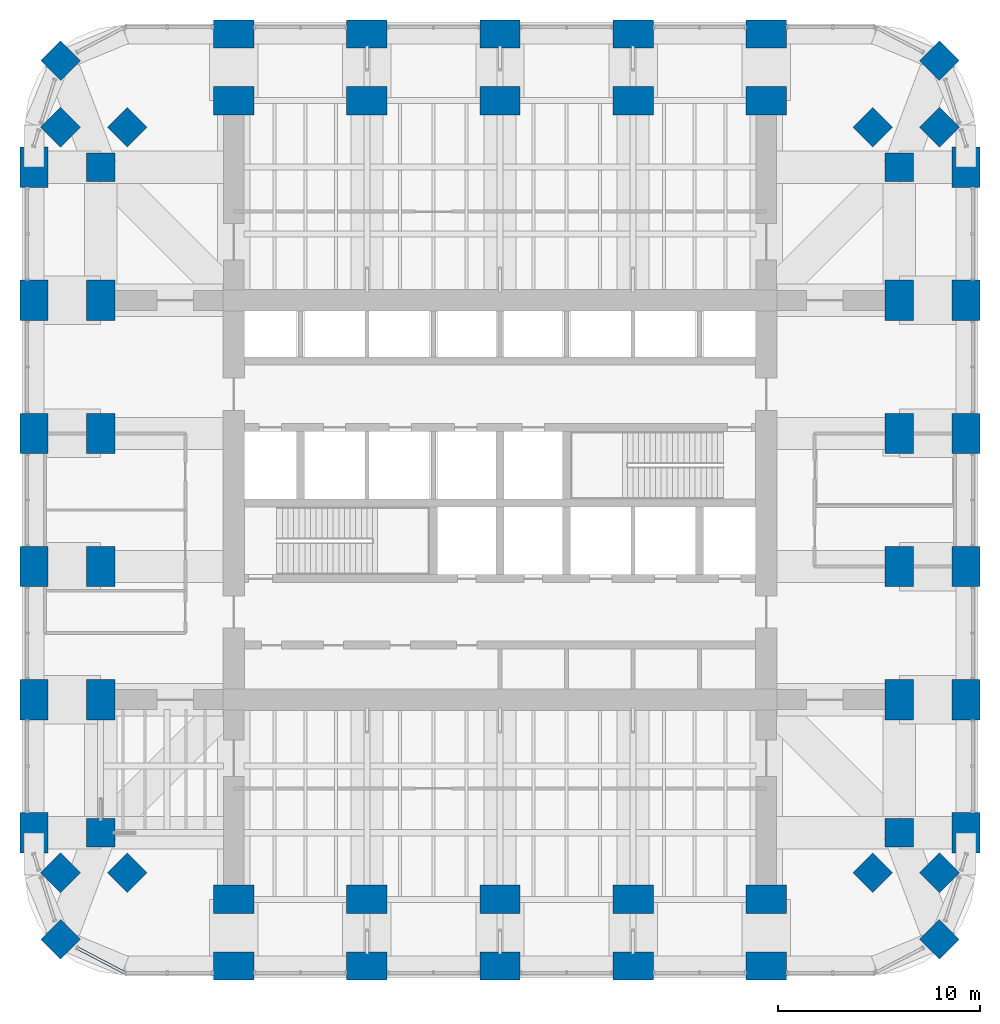
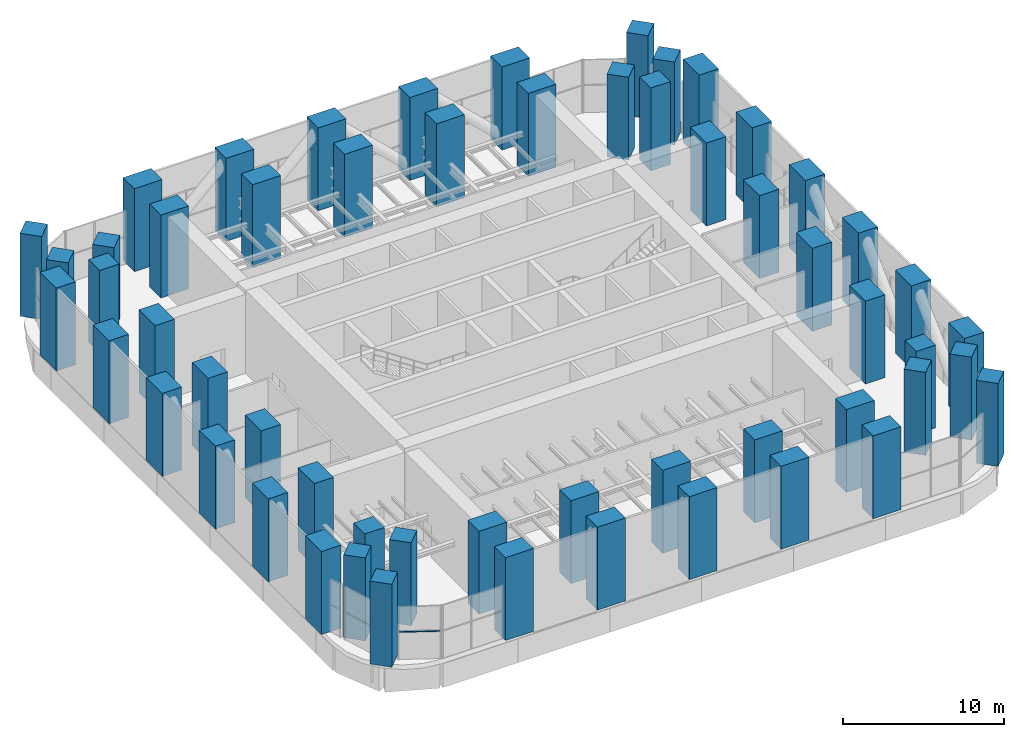
# One storey, part 1 of 16: 56 columns, 1 member, 1 element without a shape of its own.
"""IFC4 building model written with IfcOpenShell, lengths in metres."""

from ifc_helpers import new_model, si_unit, direction, frame, origin, origin_2d, place, context, subcontext, project, spatial, rectangle, extrude, material, material_profile, profile_set, type_object, element, aggregate, save


model = new_model("IFC4")

# Units and contexts
model_context = context("Model", 3, precision=1e-05, world=origin(), true_north=direction((0.0, 1.0)))
body_context = subcontext(model_context, "Body", "Model", "MODEL_VIEW")
ifc_project = project(units=[si_unit("LENGTHUNIT", "METRE"), si_unit("AREAUNIT", "SQUARE_METRE"), si_unit("VOLUMEUNIT", "CUBIC_METRE"), si_unit("PLANEANGLEUNIT", "RADIAN"), si_unit("MASSUNIT", "GRAM", prefix="KILO")], contexts=[model_context])

# Site, building, storey
site_placement = place(None, origin())
site = spatial("IfcSite", under=ifc_project, at=site_placement, CompositionType="ELEMENT")
building_placement = place(site_placement, origin())
building = spatial("IfcBuilding", under=site, at=building_placement, Name="Cobogo Forest Laboratory Tower", CompositionType="ELEMENT")
storey_placement = place(building_placement, frame((0.0, 0.0, 149.39990234375)))
storey = spatial("IfcBuildingStorey", under=building, at=storey_placement, Name="L34", CompositionType="ELEMENT", Elevation=149.39990234375)

# Columns
ifc_material_1 = material(Name="Concrete HA-50 (C50/60)", Category="concrete")
ifc_material_profile_1 = material_profile(ifc_material_1, rectangle(XDim=2.0, YDim=1.39990234375, at=origin_2d()), Name="RC 1400x2000")
ifc_profile_set_1 = profile_set([ifc_material_profile_1], Name="Concrete HA-50 (C50/60)")
column_type_1 = type_object("IfcColumnType", Name="Blade column 1400x2000", PredefinedType="COLUMN", material=ifc_profile_set_1)
for number, where, z_axis, x_axis, name in (
    (1, (13.199951171875, 0.0, 0.0), (0.0, 0.0, 1.0), (1.0, 0.0, 0.0), "Column 3-A L34"),
    (2, (19.800048828125, 0.0, 0.0), (0.0, 0.0, 1.0), (1.0, 0.0, 0.0), "Column 4-A L34"),
    (3, (26.39990234375, 0.0, 0.0), (0.0, 0.0, 1.0), (1.0, 0.0, 0.0), "Column 5-A L34"),
    (4, (33.0, 0.0, 0.0), (0.0, 0.0, 1.0), (1.0, 0.0, 0.0), "Column 6-A L34"),
    (5, (39.60009765625, 0.0, 0.0), (0.0, 0.0, 1.0), (1.0, 0.0, 0.0), "Column 7-A L34"),
    (6, (3.300048828125, 6.60009765625, 0.0), (0.0, 0.0, 1.0), (0.0, 1.0, 0.0), "Column 1.1-B L34"),
    (7, (49.5, 6.60009765625, 0.0), (0.0, 0.0, 1.0), (0.0, 1.0, 0.0), "Column 8.1-B L34"),
    (8, (3.300048828125, 13.199951171875, 0.0), (0.0, 0.0, 1.0), (0.0, 1.0, 0.0), "Column 1.1-C L34"),
    (9, (49.5, 13.199951171875, 0.0), (0.0, 0.0, 1.0), (0.0, 1.0, 0.0), "Column 8.1-C L34"),
    (10, (3.300048828125, 19.800048828125, 0.0), (0.0, 0.0, 1.0), (0.0, 1.0, 0.0), "Column 1.1-D L34"),
    (11, (49.5, 19.800048828125, 0.0), (0.0, 0.0, 1.0), (0.0, 1.0, 0.0), "Column 8.1-D L34"),
    (12, (3.300048828125, 26.39990234375, 0.0), (0.0, 0.0, 1.0), (0.0, 1.0, 0.0), "Column 1.1-E L34"),
    (13, (49.5, 26.39990234375, 0.0), (0.0, 0.0, 1.0), (0.0, 1.0, 0.0), "Column 8.1-E L34"),
    (14, (3.300048828125, 33.0, 0.0), (0.0, 0.0, 1.0), (0.0, 1.0, 0.0), "Column 1.1-F L34"),
    (15, (49.5, 33.0, 0.0), (0.0, 0.0, 1.0), (0.0, 1.0, 0.0), "Column 8.1-F L34"),
    (16, (3.300048828125, 39.60009765625, 0.0), (0.0, 0.0, 1.0), (0.0, 1.0, 0.0), "Column 1.1-G L34"),
    (17, (49.5, 39.60009765625, 0.0), (0.0, 0.0, 1.0), (0.0, 1.0, 0.0), "Column 8.1-G L34"),
    (18, (13.199951171875, 46.199951171875, 0.0), (0.0, 0.0, 1.0), (1.0, 0.0, 0.0), "Column 3-H L34"),
    (19, (19.800048828125, 46.199951171875, 0.0), (0.0, 0.0, 1.0), (1.0, 0.0, 0.0), "Column 4-H L34"),
    (20, (26.39990234375, 46.199951171875, 0.0), (0.0, 0.0, 1.0), (1.0, 0.0, 0.0), "Column 5-H L34"),
    (21, (33.0, 46.199951171875, 0.0), (0.0, 0.0, 1.0), (1.0, 0.0, 0.0), "Column 6-H L34"),
    (22, (39.60009765625, 46.199951171875, 0.0), (0.0, 0.0, 1.0), (1.0, 0.0, 0.0), "Column 7-H L34"),
    (23, (13.199951171875, 3.300048828125, 0.0), (0.0, 0.0, 1.0), (1.0, 0.0, 0.0), "Column 3-A.1-C L34"),
    (24, (19.800048828125, 3.300048828125, 0.0), (0.0, 0.0, 1.0), (1.0, 0.0, 0.0), "Column 4-A.1-C L34"),
    (25, (26.39990234375, 3.300048828125, 0.0), (0.0, 0.0, 1.0), (1.0, 0.0, 0.0), "Column 5-A.1-C L34"),
    (26, (33.0, 3.300048828125, 0.0), (0.0, 0.0, 1.0), (1.0, 0.0, 0.0), "Column 6-A.1-C L34"),
    (27, (39.60009765625, 3.300048828125, 0.0), (0.0, 0.0, 1.0), (1.0, 0.0, 0.0), "Column 7-A.1-C L34"),
    (28, (13.199951171875, 42.89990234375, 0.0), (0.0, 0.0, 1.0), (1.0, 0.0, 0.0), "Column 3-G.1-C L34"),
    (29, (19.800048828125, 42.89990234375, 0.0), (0.0, 0.0, 1.0), (1.0, 0.0, 0.0), "Column 4-G.1-C L34"),
    (30, (26.39990234375, 42.89990234375, 0.0), (0.0, 0.0, 1.0), (1.0, 0.0, 0.0), "Column 5-G.1-C L34"),
    (31, (33.0, 42.89990234375, 0.0), (0.0, 0.0, 1.0), (1.0, 0.0, 0.0), "Column 6-G.1-C L34"),
    (32, (39.60009765625, 42.89990234375, 0.0), (0.0, 0.0, 1.0), (1.0, 0.0, 0.0), "Column 7-G.1-C L34"),
    (33, (6.60009765625, 13.199951171875, 0.0), (0.0, 0.0, 1.0), (0.0, 1.0, 0.0), "Column 2-C-D L34"),
    (34, (46.199951171875, 13.199951171875, 0.0), (0.0, 0.0, 1.0), (0.0, 1.0, 0.0), "Column 8-C-D L34"),
    (35, (6.60009765625, 19.800048828125, 0.0), (0.0, 0.0, 1.0), (0.0, 1.0, 0.0), "Column 2-D-D L34"),
    (36, (46.199951171875, 19.800048828125, 0.0), (0.0, 0.0, 1.0), (0.0, 1.0, 0.0), "Column 8-D-D L34"),
    (37, (6.60009765625, 26.39990234375, 0.0), (0.0, 0.0, 1.0), (0.0, 1.0, 0.0), "Column 2-E-D L34"),
    (38, (46.199951171875, 26.39990234375, 0.0), (0.0, 0.0, 1.0), (0.0, 1.0, 0.0), "Column 8-E-D L34"),
    (39, (6.60009765625, 33.0, 0.0), (0.0, 0.0, 1.0), (0.0, 1.0, 0.0), "Column 2-F-D L34"),
    (40, (46.199951171875, 33.0, 0.0), (0.0, 0.0, 1.0), (0.0, 1.0, 0.0), "Column 8-F-D L34"),
):
    element("IfcColumn", number, at=place(storey_placement, frame(where, z_axis=z_axis, x_axis=x_axis)), inside=storey, type_object=column_type_1, Name=name, PredefinedType="COLUMN", context=body_context, shape_type="SweptSolid", body=[
        extrude(rectangle(XDim=2.0, YDim=1.39990234375, at=origin_2d()), origin(), (0.0, 0.0, 1.0), 6.300048828125),
    ])
ifc_material_profile_2 = material_profile(ifc_material_1, rectangle(XDim=1.39990234375, YDim=1.39990234375, at=origin_2d()), Name="RC 1400x1400")
ifc_profile_set_2 = profile_set([ifc_material_profile_2], Name="Concrete HA-50 (C50/60)")
column_type_2 = type_object("IfcColumnType", Name="Column 1400x1400", PredefinedType="COLUMN", material=ifc_profile_set_2)
for number, where, z_axis, x_axis, name in (
    (41, (4.617919921875, 1.318115234375, 0.0), (0.0, 0.0, 1.0), (0.707106781187, 0.707106781187, 0.0), "Column CNR-SW L34"),
    (42, (48.181884765625, 1.318115234375, 0.0), (0.0, 0.0, 1.0), (0.707106781187, 0.707106781187, 0.0), "Column CNR-SE L34"),
    (43, (4.617919921875, 44.882080078125, 0.0), (0.0, 0.0, 1.0), (0.707106781187, 0.707106781187, 0.0), "Column CNR-NW L34"),
    (44, (48.181884765625, 44.882080078125, 0.0), (0.0, 0.0, 1.0), (0.707106781187, 0.707106781187, 0.0), "Column CNR-NE L34"),
    (45, (6.60009765625, 6.60009765625, 0.0), (0.0, 0.0, 1.0), (1.0, 0.0, 0.0), "Column 2-B L34"),
    (46, (46.199951171875, 6.60009765625, 0.0), (0.0, 0.0, 1.0), (1.0, 0.0, 0.0), "Column 8-B L34"),
    (47, (6.60009765625, 39.60009765625, 0.0), (0.0, 0.0, 1.0), (1.0, 0.0, 0.0), "Column 2-G L34"),
    (48, (46.199951171875, 39.60009765625, 0.0), (0.0, 0.0, 1.0), (1.0, 0.0, 0.0), "Column 8-G L34"),
    (49, (4.617919921875, 4.617919921875, 0.0), (0.0, 0.0, 1.0), (0.707106781187, 0.707106781187, 0.0), "Column CNR-SW-C L34"),
    (50, (48.181884765625, 4.617919921875, 0.0), (0.0, 0.0, 1.0), (0.707106781187, 0.707106781187, 0.0), "Column CNR-SE-C L34"),
    (51, (4.617919921875, 41.58203125, 0.0), (0.0, 0.0, 1.0), (0.707106781187, 0.707106781187, 0.0), "Column CNR-NW-C L34"),
    (52, (48.181884765625, 41.58203125, 0.0), (0.0, 0.0, 1.0), (0.707106781187, 0.707106781187, 0.0), "Column CNR-NE-C L34"),
    (53, (7.91796875, 4.617919921875, 0.0), (0.0, 0.0, 1.0), (0.707106781187, 0.707106781187, 0.0), "Column CNR-SW-D L34"),
    (54, (44.882080078125, 4.617919921875, 0.0), (0.0, 0.0, 1.0), (0.707106781187, 0.707106781187, 0.0), "Column CNR-SE-D L34"),
    (55, (7.91796875, 41.58203125, 0.0), (0.0, 0.0, 1.0), (0.707106781187, 0.707106781187, 0.0), "Column CNR-NW-D L34"),
    (56, (44.882080078125, 41.58203125, 0.0), (0.0, 0.0, 1.0), (0.707106781187, 0.707106781187, 0.0), "Column CNR-NE-D L34"),
):
    element("IfcColumn", number, at=place(storey_placement, frame(where, z_axis=z_axis, x_axis=x_axis)), inside=storey, type_object=column_type_2, Name=name, PredefinedType="COLUMN", context=body_context, shape_type="SweptSolid", body=[
        extrude(rectangle(XDim=1.39990234375, YDim=1.39990234375, at=origin_2d()), origin(), (0.0, 0.0, 1.0), 6.300048828125),
    ])

# Curtain wall, member
ifc_material_2 = material(Name="Aluminium curtain wall", Category="aluminium")
curtain_wall_type = type_object("IfcCurtainWallType", Name="CW-P louvred curtain wall, plant floors", PredefinedType="USERDEFINED", material=ifc_material_2)
curtain_wall_placement = place(storey_placement, origin())
curtain_wall = element("IfcCurtainWall", 57, at=curtain_wall_placement, inside=storey, type_object=curtain_wall_type, Name="Curtain wall 34 L34", ObjectType="LOUVRED CURTAIN WALL", PredefinedType="USERDEFINED")
ifc_material_3 = material(Name="Aluminium transom", Category="aluminium")
ifc_material_profile_3 = material_profile(ifc_material_3, rectangle(XDim=0.14990234375, YDim=0.080078125, at=origin_2d()), Name="AL 80x150")
ifc_profile_set_3 = profile_set([ifc_material_profile_3], Name="Aluminium transom")
member_type = type_object("IfcMemberType", Name="TR-2 aluminium louvre transom 80x150", PredefinedType="USERDEFINED", material=ifc_profile_set_3)
member_placement = place(storey_placement, frame((5.458984375, 0.877197265625, 2.10009765625), z_axis=(0.88571032668, -0.464238319415, 0.0), x_axis=(0.464238319415, 0.88571032668, 0.0)))
member = element("IfcMember", 58, at=member_placement, type_object=member_type, Name="CW-P transom 1.1", ObjectType="TRANSOM", PredefinedType="USERDEFINED", context=body_context, shape_type="SweptSolid", body=[
    extrude(rectangle(XDim=0.14990234375, YDim=0.080078125, at=origin_2d()), origin(), (0.0, 0.0, 1.0), 2.563232421875),
])
aggregate(curtain_wall, [member])

save(model, "model.ifc")
